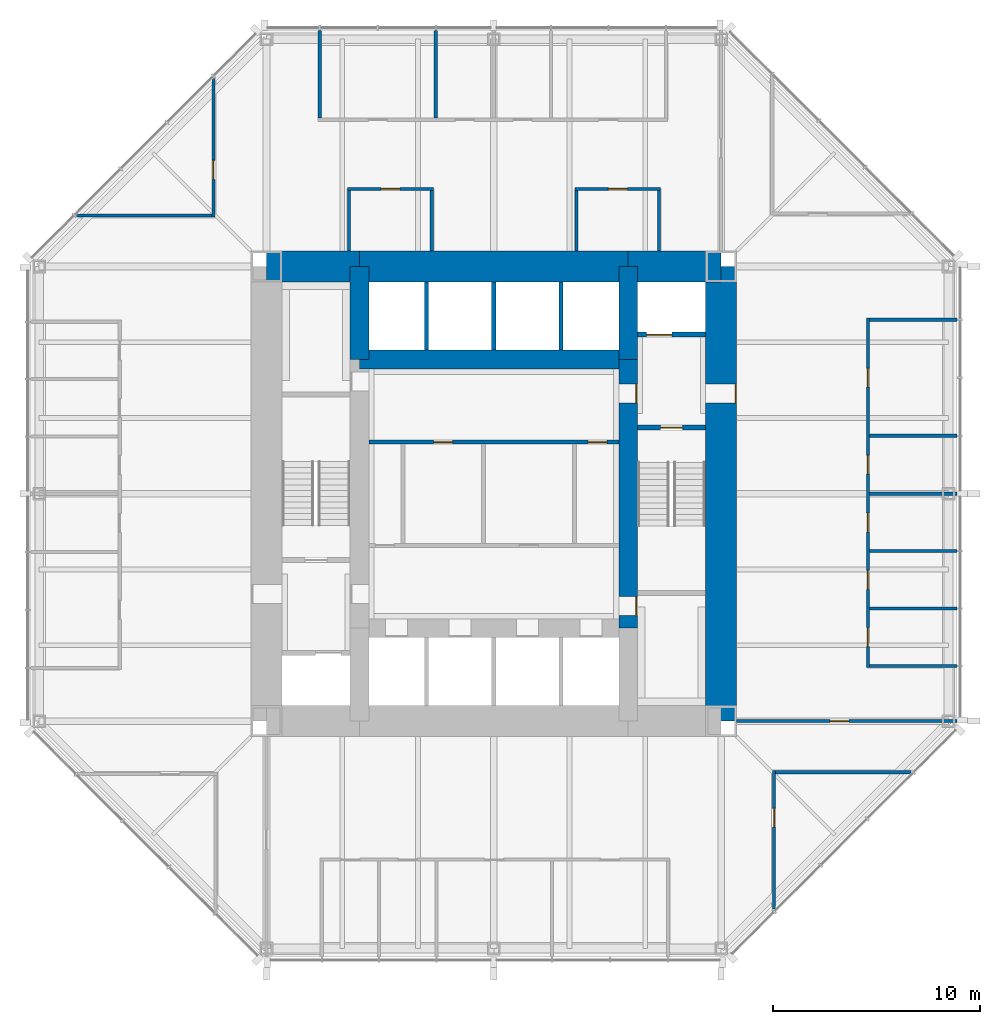
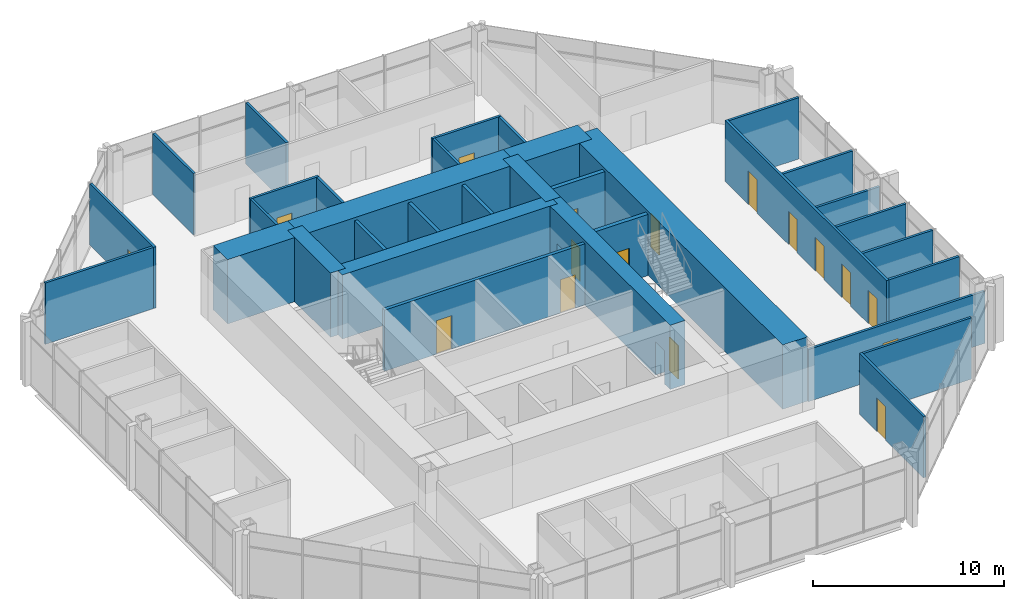
# One storey, part 10 of 12: 34 walls, 17 doors, 17 openings.
"""IFC4 building model written with IfcOpenShell, lengths in metres."""

from ifc_helpers import new_model, si_unit, direction, frame, frame_2d, origin, place, context, subcontext, project, spatial, rectangle, extrude, material, layer, layer_set, type_object, element, fill, save


model = new_model("IFC4")

# Units and contexts
model_context = context("Model", 3, precision=1e-05, world=origin(), true_north=direction((0.0, 1.0)))
body_context = subcontext(model_context, "Body", "Model", "MODEL_VIEW")
ifc_project = project(units=[si_unit("LENGTHUNIT", "METRE"), si_unit("AREAUNIT", "SQUARE_METRE"), si_unit("VOLUMEUNIT", "CUBIC_METRE"), si_unit("PLANEANGLEUNIT", "RADIAN"), si_unit("MASSUNIT", "GRAM", prefix="KILO")], contexts=[model_context])

# Site, building, storey
site_placement = place(None, origin())
site = spatial("IfcSite", under=ifc_project, at=site_placement, CompositionType="ELEMENT")
building_placement = place(site_placement, origin())
building = spatial("IfcBuilding", under=site, at=building_placement, Name="Trevanion Tower", CompositionType="ELEMENT")
storey_placement = place(building_placement, frame((0.0, 0.0, 170.5)))
storey = spatial("IfcBuildingStorey", under=building, at=storey_placement, Name="L40", CompositionType="ELEMENT", Elevation=170.5)

# Wall, opening, door
ifc_material_1 = material(Name="Concrete 10,000 psi", Category="concrete")
ifc_layer_1 = layer(ifc_material_1, 1.5)
ifc_layer_set_1 = layer_set([ifc_layer_1], Name="CW1 core wall 1500")
wall_type_1 = type_object("IfcWallType", Name="CW1 core wall 1500", PredefinedType="SHEAR", material=ifc_layer_set_1)
wall_1_placement = place(storey_placement, frame((11.0, -11.0, 0.0), z_axis=(0.0, 0.0, 1.0), x_axis=(0.0, 1.0, 0.0)))
wall_1 = element("IfcWall", 1, at=wall_1_placement, inside=storey, type_object=wall_type_1, Name="CW1 CE L40", PredefinedType="SHEAR", context=body_context, shape_type="SweptSolid", body=[
    extrude(rectangle(XDim=22.0, YDim=1.5, at=frame_2d((11.0, 0.0))), origin(), (0.0, 0.0, 1.0), 4.10009765625),
])
opening_1_placement = place(wall_1_placement, frame((15.392578125, 0.0, 0.0)))
opening_1 = element("IfcOpeningElement", 2, at=opening_1_placement, cuts=wall_1, Name="Opening 40-001", PredefinedType="OPENING", context=body_context, shape_type="SweptSolid", body=[
    extrude(rectangle(XDim=0.9150390625, YDim=2.134033203125, at=frame_2d((0.45751953125, 1.06689453125))), frame((0.0, 0.760009765625, 0.0), z_axis=(0.0, -1.0, 0.0), x_axis=(1.0, 0.0, 0.0)), (0.0, 0.0, 1.0), 1.52001953125),
])
ifc_material_2 = material(Name="Hollow metal, fire rated", Category="steel")
door_type_1 = type_object("IfcDoorType", Name="D3 fire lift lobby door", OperationType="SINGLE_SWING_RIGHT", PredefinedType="DOOR", material=ifc_material_2)
door_1_placement = place(opening_1_placement, origin())
door_1 = element("IfcDoor", 3, at=door_1_placement, inside=storey, type_object=door_type_1, Name="Door 40-001", OperationType="SINGLE_SWING_RIGHT", OverallHeight=2.134033203125, OverallWidth=0.9150390625, PredefinedType="DOOR", context=body_context, shape_type="SweptSolid", body=[
    extrude(rectangle(XDim=0.9150390625, YDim=2.134033203125, at=frame_2d((0.45751953125, 1.06689453125))), frame((0.0, -0.6748046875, 0.0), z_axis=(0.0, -1.0, 0.0), x_axis=(1.0, 0.0, 0.0)), (0.0, 0.0, 1.0), 0.050048828125),
])
fill(opening_1, door_1)

# Walls
wall_2_placement = place(storey_placement, frame((11.0, 11.0, 0.0), z_axis=(0.0, 0.0, 1.0), x_axis=(-1.0, 0.0, 0.0)))
element("IfcWall", 4, at=wall_2_placement, inside=storey, type_object=wall_type_1, Name="CW1 CN1 L40", PredefinedType="SHEAR", context=body_context, shape_type="SweptSolid", body=[
    extrude(rectangle(XDim=4.5, YDim=1.5, at=frame_2d((2.25, 0.0))), origin(), (0.0, 0.0, 1.0), 4.10009765625),
])
wall_3_placement = place(storey_placement, frame((6.5, 11.0, 0.0), z_axis=(0.0, 0.0, 1.0), x_axis=(-1.0, 0.0, 0.0)))
element("IfcWall", 5, at=wall_3_placement, inside=storey, type_object=wall_type_1, Name="CW1 CN2 L40", PredefinedType="SHEAR", context=body_context, shape_type="SweptSolid", body=[
    extrude(rectangle(XDim=13.0, YDim=1.5, at=frame_2d((6.5, 0.0))), origin(), (0.0, 0.0, 1.0), 4.10009765625),
])
wall_4_placement = place(storey_placement, frame((-6.5, 11.0, 0.0), z_axis=(0.0, 0.0, 1.0), x_axis=(-1.0, 0.0, 0.0)))
element("IfcWall", 6, at=wall_4_placement, inside=storey, type_object=wall_type_1, Name="CW1 CN3 L40", PredefinedType="SHEAR", context=body_context, shape_type="SweptSolid", body=[
    extrude(rectangle(XDim=4.5, YDim=1.5, at=frame_2d((2.25, 0.0))), origin(), (0.0, 0.0, 1.0), 4.10009765625),
])

# Wall, openings, doors
ifc_material_3 = material(Name="Concrete 10,000 psi", Category="concrete")
ifc_layer_2 = layer(ifc_material_3, 0.89990234375)
ifc_layer_set_2 = layer_set([ifc_layer_2], Name="CW2 core wall 900")
wall_type_2 = type_object("IfcWallType", Name="CW2 core wall 900", PredefinedType="SHEAR", material=ifc_layer_set_2)
wall_5_placement = place(storey_placement, frame((6.5, -6.5, 0.0), z_axis=(0.0, 0.0, 1.0), x_axis=(0.0, 1.0, 0.0)))
wall_5 = element("IfcWall", 7, at=wall_5_placement, inside=storey, type_object=wall_type_2, Name="CW2 RE2 L40", PredefinedType="SHEAR", context=body_context, shape_type="SweptSolid", body=[
    extrude(rectangle(XDim=13.0, YDim=0.89990234375, at=frame_2d((6.5, 0.0))), origin(), (0.0, 0.0, 1.0), 4.10009765625),
])
opening_2_placement = place(wall_5_placement, frame((10.892578125, 0.0, 0.0)))
opening_2 = element("IfcOpeningElement", 8, at=opening_2_placement, cuts=wall_5, Name="Opening 40-003", PredefinedType="OPENING", context=body_context, shape_type="SweptSolid", body=[
    extrude(rectangle(XDim=0.9150390625, YDim=2.134033203125, at=frame_2d((0.45751953125, 1.06689453125))), frame((0.0, 0.4599609375, 0.0), z_axis=(0.0, -1.0, 0.0), x_axis=(1.0, 0.0, 0.0)), (0.0, 0.0, 1.0), 0.919921875),
])
opening_3_placement = place(wall_5_placement, frame((0.610107421875, 0.0, 0.0)))
opening_3 = element("IfcOpeningElement", 9, at=opening_3_placement, cuts=wall_5, Name="Opening 40-009", PredefinedType="OPENING", context=body_context, shape_type="SweptSolid", body=[
    extrude(rectangle(XDim=0.9150390625, YDim=2.134033203125, at=frame_2d((0.45751953125, 1.06689453125))), frame((0.0, 0.4599609375, 0.0), z_axis=(0.0, -1.0, 0.0), x_axis=(1.0, 0.0, 0.0)), (0.0, 0.0, 1.0), 0.919921875),
])
door_2_placement = place(opening_2_placement, origin())
door_2 = element("IfcDoor", 10, at=door_2_placement, inside=storey, type_object=door_type_1, Name="Door 40-003", OperationType="SINGLE_SWING_RIGHT", OverallHeight=2.134033203125, OverallWidth=0.9150390625, PredefinedType="DOOR", context=body_context, shape_type="SweptSolid", body=[
    extrude(rectangle(XDim=0.9150390625, YDim=2.134033203125, at=frame_2d((0.45751953125, 1.06689453125))), frame((0.0, -0.375, 0.0), z_axis=(0.0, -1.0, 0.0), x_axis=(1.0, 0.0, 0.0)), (0.0, 0.0, 1.0), 0.050048828125),
])
fill(opening_2, door_2)
ifc_material_4 = material(Name="Hollow metal, fire rated", Category="steel")
door_type_2 = type_object("IfcDoorType", Name="D5 service room door", OperationType="SINGLE_SWING_RIGHT", PredefinedType="DOOR", material=ifc_material_4)
door_3_placement = place(opening_3_placement, origin())
door_3 = element("IfcDoor", 11, at=door_3_placement, inside=storey, type_object=door_type_2, Name="Door 40-009", OperationType="SINGLE_SWING_RIGHT", OverallHeight=2.134033203125, OverallWidth=0.9150390625, PredefinedType="DOOR", context=body_context, shape_type="SweptSolid", body=[
    extrude(rectangle(XDim=0.9150390625, YDim=2.134033203125, at=frame_2d((0.45751953125, 1.06689453125))), frame((0.0, -0.375, 0.0), z_axis=(0.0, -1.0, 0.0), x_axis=(1.0, 0.0, 0.0)), (0.0, 0.0, 1.0), 0.050048828125),
])
fill(opening_3, door_3)

# Walls
for number, where, z_axis, x_axis, name in (
    (12, (6.5, 6.5, 0.0), (0.0, 0.0, 1.0), (0.0, 1.0, 0.0), "CW2 RE3 L40"),
    (13, (-6.5, 11.0, 0.0), (0.0, 0.0, 1.0), (0.0, -1.0, 0.0), "CW2 RW1 L40"),
):
    element("IfcWall", number, at=place(storey_placement, frame(where, z_axis=z_axis, x_axis=x_axis)), inside=storey, type_object=wall_type_2, Name=name, PredefinedType="SHEAR", context=body_context, shape_type="SweptSolid", body=[
        extrude(rectangle(XDim=4.5, YDim=0.89990234375, at=frame_2d((2.25, 0.0))), origin(), (0.0, 0.0, 1.0), 4.10009765625),
    ])
wall_6_placement = place(storey_placement, frame((6.5, 6.5, 0.0), z_axis=(0.0, 0.0, 1.0), x_axis=(-1.0, 0.0, 0.0)))
element("IfcWall", 14, at=wall_6_placement, inside=storey, type_object=wall_type_2, Name="CW2 RN L40", PredefinedType="SHEAR", context=body_context, shape_type="SweptSolid", body=[
    extrude(rectangle(XDim=13.0, YDim=0.89990234375, at=frame_2d((6.5, 0.0))), origin(), (0.0, 0.0, 1.0), 4.10009765625),
])

# Wall, opening, door
ifc_material_5 = material(Name="Gypsum board on steel studs", Category="steel")
ifc_layer_3 = layer(ifc_material_5, 0.14990234375)
ifc_layer_set_3 = layer_set([ifc_layer_3], Name="PT1 partition 150")
wall_type_3 = type_object("IfcWallType", Name="PT1 partition 150", PredefinedType="PARTITIONING", material=ifc_layer_set_3)
wall_7_placement = place(storey_placement, frame((11.75, -11.0, 0.0), z_axis=(0.0, 0.0, 1.0), x_axis=(1.0, 0.0, 0.0)))
wall_7 = element("IfcWall", 15, at=wall_7_placement, inside=storey, type_object=wall_type_3, Name="PT1 L40 ZW3", PredefinedType="PARTITIONING", context=body_context, shape_type="SweptSolid", body=[
    extrude(rectangle(XDim=10.6650390625, YDim=0.14990234375, at=frame_2d((5.33251953125, 0.0))), origin(), (0.0, 0.0, 1.0), 3.32568359375),
])
opening_4_placement = place(wall_7_placement, frame((4.517578125, 0.0, 0.0)))
opening_4 = element("IfcOpeningElement", 16, at=opening_4_placement, cuts=wall_7, Name="Opening 40-021", PredefinedType="OPENING", context=body_context, shape_type="SweptSolid", body=[
    extrude(rectangle(XDim=0.9150390625, YDim=2.134033203125, at=frame_2d((0.45751953125, 1.06689453125))), frame((0.0, 0.0849609375, 0.0), z_axis=(0.0, -1.0, 0.0), x_axis=(1.0, 0.0, 0.0)), (0.0, 0.0, 1.0), 0.169921875),
])
ifc_material_6 = material(Name="Timber veneer, solid core", Category="wood")
door_type_3 = type_object("IfcDoorType", Name="D1 office and meeting room door", OperationType="SINGLE_SWING_LEFT", PredefinedType="DOOR", material=ifc_material_6)
door_4_placement = place(opening_4_placement, origin())
door_4 = element("IfcDoor", 17, at=door_4_placement, inside=storey, type_object=door_type_3, Name="Door 40-021", OperationType="SINGLE_SWING_LEFT", OverallHeight=2.134033203125, OverallWidth=0.9150390625, PredefinedType="DOOR", context=body_context, shape_type="SweptSolid", body=[
    extrude(rectangle(XDim=0.9150390625, YDim=2.134033203125, at=frame_2d((0.45751953125, 1.06689453125))), frame((0.0, 0.02490234375, 0.0), z_axis=(0.0, -1.0, 0.0), x_axis=(1.0, 0.0, 0.0)), (0.0, 0.0, 1.0), 0.050048828125),
])
fill(opening_4, door_4)

wall_8_placement = place(storey_placement, frame((-13.56591796875, 13.39892578125, 0.0), z_axis=(0.0, 0.0, 1.0), x_axis=(0.0, 1.0, 0.0)))
wall_8 = element("IfcWall", 18, at=wall_8_placement, inside=storey, type_object=wall_type_3, Name="PT1 L40 KW1a", PredefinedType="PARTITIONING", context=body_context, shape_type="SweptSolid", body=[
    extrude(rectangle(XDim=6.697998046875, YDim=0.14990234375, at=frame_2d((3.34912109375, 0.0))), origin(), (0.0, 0.0, 1.0), 3.909912109375),
])
opening_5_placement = place(wall_8_placement, frame((1.8173828125, 0.0, 0.0)))
opening_5 = element("IfcOpeningElement", 19, at=opening_5_placement, cuts=wall_8, Name="Opening 40-023", PredefinedType="OPENING", context=body_context, shape_type="SweptSolid", body=[
    extrude(rectangle(XDim=0.9150390625, YDim=2.134033203125, at=frame_2d((0.45751953125, 1.06689453125))), frame((0.0, 0.0849609375, 0.0), z_axis=(0.0, -1.0, 0.0), x_axis=(1.0, 0.0, 0.0)), (0.0, 0.0, 1.0), 0.169921875),
])
door_5_placement = place(opening_5_placement, origin())
door_5 = element("IfcDoor", 20, at=door_5_placement, inside=storey, type_object=door_type_3, Name="Door 40-023", OperationType="SINGLE_SWING_LEFT", OverallHeight=2.134033203125, OverallWidth=0.9150390625, PredefinedType="DOOR", context=body_context, shape_type="SweptSolid", body=[
    extrude(rectangle(XDim=0.9150390625, YDim=2.134033203125, at=frame_2d((0.45751953125, 1.06689453125))), frame((0.0, 0.02490234375, 0.0), z_axis=(0.0, -1.0, 0.0), x_axis=(1.0, 0.0, 0.0)), (0.0, 0.0, 1.0), 0.050048828125),
])
fill(opening_5, door_5)

# Wall
wall_9_placement = place(storey_placement, frame((-13.64111328125, 13.47412109375, 0.0), z_axis=(0.0, 0.0, 1.0), x_axis=(-1.0, 0.0, 0.0)))
element("IfcWall", 21, at=wall_9_placement, inside=storey, type_object=wall_type_3, Name="PT1 L40 KW1b", PredefinedType="PARTITIONING", context=body_context, shape_type="SweptSolid", body=[
    extrude(rectangle(XDim=6.5478515625, YDim=0.14990234375, at=frame_2d((3.27392578125, 0.0))), origin(), (0.0, 0.0, 1.0), 3.909912109375),
])

# Wall, opening, door
wall_10_placement = place(storey_placement, frame((13.56591796875, -13.39892578125, 0.0), z_axis=(0.0, 0.0, 1.0), x_axis=(0.0, -1.0, 0.0)))
wall_10 = element("IfcWall", 22, at=wall_10_placement, inside=storey, type_object=wall_type_3, Name="PT1 L40 KW3a", PredefinedType="PARTITIONING", context=body_context, shape_type="SweptSolid", body=[
    extrude(rectangle(XDim=6.697998046875, YDim=0.14990234375, at=frame_2d((3.34912109375, 0.0))), origin(), (0.0, 0.0, 1.0), 3.909912109375),
])
opening_6_placement = place(wall_10_placement, frame((1.8173828125, 0.0, 0.0)))
opening_6 = element("IfcOpeningElement", 23, at=opening_6_placement, cuts=wall_10, Name="Opening 40-025", PredefinedType="OPENING", context=body_context, shape_type="SweptSolid", body=[
    extrude(rectangle(XDim=0.9150390625, YDim=2.134033203125, at=frame_2d((0.45751953125, 1.06689453125))), frame((0.0, 0.0849609375, 0.0), z_axis=(0.0, -1.0, 0.0), x_axis=(1.0, 0.0, 0.0)), (0.0, 0.0, 1.0), 0.169921875),
])
door_6_placement = place(opening_6_placement, origin())
door_6 = element("IfcDoor", 24, at=door_6_placement, inside=storey, type_object=door_type_3, Name="Door 40-025", OperationType="SINGLE_SWING_LEFT", OverallHeight=2.134033203125, OverallWidth=0.9150390625, PredefinedType="DOOR", context=body_context, shape_type="SweptSolid", body=[
    extrude(rectangle(XDim=0.9150390625, YDim=2.134033203125, at=frame_2d((0.45751953125, 1.06689453125))), frame((0.0, 0.02490234375, 0.0), z_axis=(0.0, -1.0, 0.0), x_axis=(1.0, 0.0, 0.0)), (0.0, 0.0, 1.0), 0.050048828125),
])
fill(opening_6, door_6)

# Wall
wall_11_placement = place(storey_placement, frame((13.64111328125, -13.47412109375, 0.0), z_axis=(0.0, 0.0, 1.0), x_axis=(1.0, 0.0, 0.0)))
element("IfcWall", 25, at=wall_11_placement, inside=storey, type_object=wall_type_3, Name="PT1 L40 KW3b", PredefinedType="PARTITIONING", context=body_context, shape_type="SweptSolid", body=[
    extrude(rectangle(XDim=6.5478515625, YDim=0.14990234375, at=frame_2d((3.27392578125, 0.0))), origin(), (0.0, 0.0, 1.0), 3.909912109375),
])

# Wall, openings, doors
wall_12_placement = place(storey_placement, frame((18.10009765625, -8.39794921875, 0.0), z_axis=(0.0, 0.0, 1.0), x_axis=(0.0, 1.0, 0.0)))
wall_12 = element("IfcWall", 26, at=wall_12_placement, inside=storey, type_object=wall_type_3, Name="PT1 L40 FC0F", PredefinedType="PARTITIONING", context=body_context, shape_type="SweptSolid", body=[
    extrude(rectangle(XDim=16.89404296875, YDim=0.14990234375, at=frame_2d((8.447021484375, 0.0))), origin(), (0.0, 0.0, 1.0), 3.909912109375),
])
opening_7_placement = place(wall_12_placement, frame((1.00439453125, 0.0, 0.0)))
opening_7 = element("IfcOpeningElement", 27, at=opening_7_placement, cuts=wall_12, Name="Opening 40-026", PredefinedType="OPENING", context=body_context, shape_type="SweptSolid", body=[
    extrude(rectangle(XDim=0.9150390625, YDim=2.134033203125, at=frame_2d((0.45751953125, 1.06689453125))), frame((0.0, 0.0849609375, 0.0), z_axis=(0.0, -1.0, 0.0), x_axis=(1.0, 0.0, 0.0)), (0.0, 0.0, 1.0), 0.169921875),
])
opening_8_placement = place(wall_12_placement, frame((3.778564453125, 0.0, 0.0)))
opening_8 = element("IfcOpeningElement", 28, at=opening_8_placement, cuts=wall_12, Name="Opening 40-027", PredefinedType="OPENING", context=body_context, shape_type="SweptSolid", body=[
    extrude(rectangle(XDim=0.9150390625, YDim=2.134033203125, at=frame_2d((0.45751953125, 1.06689453125))), frame((0.0, 0.0849609375, 0.0), z_axis=(0.0, -1.0, 0.0), x_axis=(1.0, 0.0, 0.0)), (0.0, 0.0, 1.0), 0.169921875),
])
opening_9_placement = place(wall_12_placement, frame((6.552978515625, 0.0, 0.0)))
opening_9 = element("IfcOpeningElement", 29, at=opening_9_placement, cuts=wall_12, Name="Opening 40-028", PredefinedType="OPENING", context=body_context, shape_type="SweptSolid", body=[
    extrude(rectangle(XDim=0.9150390625, YDim=2.134033203125, at=frame_2d((0.45751953125, 1.06689453125))), frame((0.0, 0.0849609375, 0.0), z_axis=(0.0, -1.0, 0.0), x_axis=(1.0, 0.0, 0.0)), (0.0, 0.0, 1.0), 0.169921875),
])
opening_10_placement = place(wall_12_placement, frame((9.343994140625, 0.0, 0.0)))
opening_10 = element("IfcOpeningElement", 30, at=opening_10_placement, cuts=wall_12, Name="Opening 40-029", PredefinedType="OPENING", context=body_context, shape_type="SweptSolid", body=[
    extrude(rectangle(XDim=0.9150390625, YDim=2.134033203125, at=frame_2d((0.45751953125, 1.06689453125))), frame((0.0, 0.0849609375, 0.0), z_axis=(0.0, -1.0, 0.0), x_axis=(1.0, 0.0, 0.0)), (0.0, 0.0, 1.0), 0.169921875),
])
opening_11_placement = place(wall_12_placement, frame((13.554443359375, 0.0, 0.0)))
opening_11 = element("IfcOpeningElement", 31, at=opening_11_placement, cuts=wall_12, Name="Opening 40-030", PredefinedType="OPENING", context=body_context, shape_type="SweptSolid", body=[
    extrude(rectangle(XDim=0.9150390625, YDim=2.134033203125, at=frame_2d((0.45751953125, 1.06689453125))), frame((0.0, 0.0849609375, 0.0), z_axis=(0.0, -1.0, 0.0), x_axis=(1.0, 0.0, 0.0)), (0.0, 0.0, 1.0), 0.169921875),
])
door_7_placement = place(opening_7_placement, origin())
door_7 = element("IfcDoor", 32, at=door_7_placement, inside=storey, type_object=door_type_3, Name="Door 40-026", OperationType="SINGLE_SWING_LEFT", OverallHeight=2.134033203125, OverallWidth=0.9150390625, PredefinedType="DOOR", context=body_context, shape_type="SweptSolid", body=[
    extrude(rectangle(XDim=0.9150390625, YDim=2.134033203125, at=frame_2d((0.45751953125, 1.06689453125))), frame((0.0, 0.02490234375, 0.0), z_axis=(0.0, -1.0, 0.0), x_axis=(1.0, 0.0, 0.0)), (0.0, 0.0, 1.0), 0.050048828125),
])
fill(opening_7, door_7)
door_8_placement = place(opening_8_placement, origin())
door_8 = element("IfcDoor", 33, at=door_8_placement, inside=storey, type_object=door_type_3, Name="Door 40-027", OperationType="SINGLE_SWING_LEFT", OverallHeight=2.134033203125, OverallWidth=0.9150390625, PredefinedType="DOOR", context=body_context, shape_type="SweptSolid", body=[
    extrude(rectangle(XDim=0.9150390625, YDim=2.134033203125, at=frame_2d((0.45751953125, 1.06689453125))), frame((0.0, 0.02490234375, 0.0), z_axis=(0.0, -1.0, 0.0), x_axis=(1.0, 0.0, 0.0)), (0.0, 0.0, 1.0), 0.050048828125),
])
fill(opening_8, door_8)
door_9_placement = place(opening_9_placement, origin())
door_9 = element("IfcDoor", 34, at=door_9_placement, inside=storey, type_object=door_type_3, Name="Door 40-028", OperationType="SINGLE_SWING_LEFT", OverallHeight=2.134033203125, OverallWidth=0.9150390625, PredefinedType="DOOR", context=body_context, shape_type="SweptSolid", body=[
    extrude(rectangle(XDim=0.9150390625, YDim=2.134033203125, at=frame_2d((0.45751953125, 1.06689453125))), frame((0.0, 0.02490234375, 0.0), z_axis=(0.0, -1.0, 0.0), x_axis=(1.0, 0.0, 0.0)), (0.0, 0.0, 1.0), 0.050048828125),
])
fill(opening_9, door_9)
door_10_placement = place(opening_10_placement, origin())
door_10 = element("IfcDoor", 35, at=door_10_placement, inside=storey, type_object=door_type_3, Name="Door 40-029", OperationType="SINGLE_SWING_LEFT", OverallHeight=2.134033203125, OverallWidth=0.9150390625, PredefinedType="DOOR", context=body_context, shape_type="SweptSolid", body=[
    extrude(rectangle(XDim=0.9150390625, YDim=2.134033203125, at=frame_2d((0.45751953125, 1.06689453125))), frame((0.0, 0.02490234375, 0.0), z_axis=(0.0, -1.0, 0.0), x_axis=(1.0, 0.0, 0.0)), (0.0, 0.0, 1.0), 0.050048828125),
])
fill(opening_10, door_10)
door_11_placement = place(opening_11_placement, origin())
door_11 = element("IfcDoor", 36, at=door_11_placement, inside=storey, type_object=door_type_3, Name="Door 40-030", OperationType="SINGLE_SWING_LEFT", OverallHeight=2.134033203125, OverallWidth=0.9150390625, PredefinedType="DOOR", context=body_context, shape_type="SweptSolid", body=[
    extrude(rectangle(XDim=0.9150390625, YDim=2.134033203125, at=frame_2d((0.45751953125, 1.06689453125))), frame((0.0, 0.02490234375, 0.0), z_axis=(0.0, -1.0, 0.0), x_axis=(1.0, 0.0, 0.0)), (0.0, 0.0, 1.0), 0.050048828125),
])
fill(opening_11, door_11)

# Walls
for number, where, z_axis, x_axis, name in (
    (37, (18.175048828125, -8.322998046875, 0.0), (0.0, 0.0, 1.0), (1.0, 0.0, 0.0), "PT1 L40 FC0S0"),
    (38, (18.175048828125, -5.549072265625, 0.0), (0.0, 0.0, 1.0), (1.0, 0.0, 0.0), "PT1 L40 FC0S1"),
    (39, (18.175048828125, -2.77490234375, 0.0), (0.0, 0.0, 1.0), (1.0, 0.0, 0.0), "PT1 L40 FC0S2"),
):
    element("IfcWall", number, at=place(storey_placement, frame(where, z_axis=z_axis, x_axis=x_axis)), inside=storey, type_object=wall_type_3, Name=name, PredefinedType="PARTITIONING", context=body_context, shape_type="SweptSolid", body=[
        extrude(rectangle(XDim=4.239990234375, YDim=0.14990234375, at=frame_2d((2.1201171875, 0.0))), origin(), (0.0, 0.0, 1.0), 3.909912109375),
    ])
wall_13_placement = place(storey_placement, frame((18.175048828125, 0.0, 0.0), z_axis=(0.0, 0.0, 1.0), x_axis=(1.0, 0.0, 0.0)))
element("IfcWall", 40, at=wall_13_placement, inside=storey, type_object=wall_type_3, Name="PT1 L40 FC0S3", PredefinedType="PARTITIONING", context=body_context, shape_type="SweptSolid", body=[
    extrude(rectangle(XDim=4.239990234375, YDim=0.14990234375, at=frame_2d((2.1201171875, 0.0))), origin(), (0.0, 0.0, 1.0), 3.32568359375),
])
for number, where, z_axis, x_axis, name in (
    (41, (18.175048828125, 2.806884765625, 0.0), (0.0, 0.0, 1.0), (1.0, 0.0, 0.0), "PT1 L40 FC0S4"),
    (42, (18.175048828125, 8.4208984375, 0.0), (0.0, 0.0, 1.0), (1.0, 0.0, 0.0), "PT1 L40 FC0S6"),
    (43, (-2.806884765625, 18.175048828125, 0.0), (0.0, 0.0, 1.0), (0.0, 1.0, 0.0), "PT1 L40 FC1S4"),
    (44, (-8.4208984375, 18.175048828125, 0.0), (0.0, 0.0, 1.0), (0.0, 1.0, 0.0), "PT1 L40 FC1S6"),
):
    element("IfcWall", number, at=place(storey_placement, frame(where, z_axis=z_axis, x_axis=x_axis)), inside=storey, type_object=wall_type_3, Name=name, PredefinedType="PARTITIONING", context=body_context, shape_type="SweptSolid", body=[
        extrude(rectangle(XDim=4.239990234375, YDim=0.14990234375, at=frame_2d((2.1201171875, 0.0))), origin(), (0.0, 0.0, 1.0), 3.909912109375),
    ])

# Wall, opening, door
wall_14_placement = place(storey_placement, frame((8.074951171875, 14.75, 0.0), z_axis=(0.0, 0.0, 1.0), x_axis=(-1.0, 0.0, 0.0)))
wall_14 = element("IfcWall", 45, at=wall_14_placement, inside=storey, type_object=wall_type_3, Name="PT1 L40 IN10F", PredefinedType="PARTITIONING", context=body_context, shape_type="SweptSolid", body=[
    extrude(rectangle(XDim=4.14990234375, YDim=0.14990234375, at=frame_2d((2.074951171875, 0.0))), origin(), (0.0, 0.0, 1.0), 3.909912109375),
])
opening_12_placement = place(wall_14_placement, frame((1.617431640625, 0.0, 0.0)))
opening_12 = element("IfcOpeningElement", 46, at=opening_12_placement, cuts=wall_14, Name="Opening 40-044", PredefinedType="OPENING", context=body_context, shape_type="SweptSolid", body=[
    extrude(rectangle(XDim=0.9150390625, YDim=2.134033203125, at=frame_2d((0.45751953125, 1.06689453125))), frame((0.0, 0.0849609375, 0.0), z_axis=(0.0, -1.0, 0.0), x_axis=(1.0, 0.0, 0.0)), (0.0, 0.0, 1.0), 0.169921875),
])
door_12_placement = place(opening_12_placement, origin())
door_12 = element("IfcDoor", 47, at=door_12_placement, inside=storey, type_object=door_type_3, Name="Door 40-044", OperationType="SINGLE_SWING_LEFT", OverallHeight=2.134033203125, OverallWidth=0.9150390625, PredefinedType="DOOR", context=body_context, shape_type="SweptSolid", body=[
    extrude(rectangle(XDim=0.9150390625, YDim=2.134033203125, at=frame_2d((0.45751953125, 1.06689453125))), frame((0.0, 0.02490234375, 0.0), z_axis=(0.0, -1.0, 0.0), x_axis=(1.0, 0.0, 0.0)), (0.0, 0.0, 1.0), 0.050048828125),
])
fill(opening_12, door_12)

# Walls
for number, where, z_axis, x_axis, name in (
    (48, (8.0, 14.675048828125, 0.0), (0.0, 0.0, 1.0), (0.0, -1.0, 0.0), "PT1 L40 IN10S0"),
    (49, (4.0, 14.675048828125, 0.0), (0.0, 0.0, 1.0), (0.0, -1.0, 0.0), "PT1 L40 IN10S1"),
):
    element("IfcWall", number, at=place(storey_placement, frame(where, z_axis=z_axis, x_axis=x_axis)), inside=storey, type_object=wall_type_3, Name=name, PredefinedType="PARTITIONING", context=body_context, shape_type="SweptSolid", body=[
        extrude(rectangle(XDim=2.925048828125, YDim=0.14990234375, at=frame_2d((1.46240234375, 0.0))), origin(), (0.0, 0.0, 1.0), 3.909912109375),
    ])

# Wall, opening, door
wall_15_placement = place(storey_placement, frame((-2.925048828125, 14.75, 0.0), z_axis=(0.0, 0.0, 1.0), x_axis=(-1.0, 0.0, 0.0)))
wall_15 = element("IfcWall", 50, at=wall_15_placement, inside=storey, type_object=wall_type_3, Name="PT1 L40 IN11F", PredefinedType="PARTITIONING", context=body_context, shape_type="SweptSolid", body=[
    extrude(rectangle(XDim=4.14990234375, YDim=0.14990234375, at=frame_2d((2.074951171875, 0.0))), origin(), (0.0, 0.0, 1.0), 3.909912109375),
])
opening_13_placement = place(wall_15_placement, frame((1.617431640625, 0.0, 0.0)))
opening_13 = element("IfcOpeningElement", 51, at=opening_13_placement, cuts=wall_15, Name="Opening 40-045", PredefinedType="OPENING", context=body_context, shape_type="SweptSolid", body=[
    extrude(rectangle(XDim=0.9150390625, YDim=2.134033203125, at=frame_2d((0.45751953125, 1.06689453125))), frame((0.0, 0.0849609375, 0.0), z_axis=(0.0, -1.0, 0.0), x_axis=(1.0, 0.0, 0.0)), (0.0, 0.0, 1.0), 0.169921875),
])
door_13_placement = place(opening_13_placement, origin())
door_13 = element("IfcDoor", 52, at=door_13_placement, inside=storey, type_object=door_type_3, Name="Door 40-045", OperationType="SINGLE_SWING_LEFT", OverallHeight=2.134033203125, OverallWidth=0.9150390625, PredefinedType="DOOR", context=body_context, shape_type="SweptSolid", body=[
    extrude(rectangle(XDim=0.9150390625, YDim=2.134033203125, at=frame_2d((0.45751953125, 1.06689453125))), frame((0.0, 0.02490234375, 0.0), z_axis=(0.0, -1.0, 0.0), x_axis=(1.0, 0.0, 0.0)), (0.0, 0.0, 1.0), 0.050048828125),
])
fill(opening_13, door_13)

# Walls
for number, where, z_axis, x_axis, name in (
    (53, (-3.0, 14.675048828125, 0.0), (0.0, 0.0, 1.0), (0.0, -1.0, 0.0), "PT1 L40 IN11S0"),
    (54, (-7.0, 14.675048828125, 0.0), (0.0, 0.0, 1.0), (0.0, -1.0, 0.0), "PT1 L40 IN11S1"),
):
    element("IfcWall", number, at=place(storey_placement, frame(where, z_axis=z_axis, x_axis=x_axis)), inside=storey, type_object=wall_type_3, Name=name, PredefinedType="PARTITIONING", context=body_context, shape_type="SweptSolid", body=[
        extrude(rectangle(XDim=2.925048828125, YDim=0.14990234375, at=frame_2d((1.46240234375, 0.0))), origin(), (0.0, 0.0, 1.0), 3.909912109375),
    ])

# Wall, openings, doors
ifc_material_7 = material(Name="Concrete masonry, grouted", Category="masonry")
ifc_layer_4 = layer(ifc_material_7, 0.199951171875)
ifc_layer_set_4 = layer_set([ifc_layer_4], Name="PT2 partition 200 1 HR")
wall_type_4 = type_object("IfcWallType", Name="PT2 partition 200 1 HR", PredefinedType="PARTITIONING", material=ifc_layer_set_4)
wall_16_placement = place(storey_placement, frame((-6.050048828125, 2.5, 0.0), z_axis=(0.0, 0.0, 1.0), x_axis=(1.0, 0.0, 0.0)))
wall_16 = element("IfcWall", 55, at=wall_16_placement, inside=storey, type_object=wall_type_4, Name="PT2 L40 CP1", PredefinedType="PARTITIONING", context=body_context, shape_type="SweptSolid", body=[
    extrude(rectangle(XDim=12.10009765625, YDim=0.199951171875, at=frame_2d((6.050048828125, 0.0))), origin(), (0.0, 0.0, 1.0), 3.909912109375),
])
opening_14_placement = place(wall_16_placement, frame((3.142578125, 0.0, 0.0)))
opening_14 = element("IfcOpeningElement", 56, at=opening_14_placement, cuts=wall_16, Name="Opening 40-016", PredefinedType="OPENING", context=body_context, shape_type="SweptSolid", body=[
    extrude(rectangle(XDim=0.9150390625, YDim=2.134033203125, at=frame_2d((0.45751953125, 1.06689453125))), frame((0.0, 0.10986328125, 0.0), z_axis=(0.0, -1.0, 0.0), x_axis=(1.0, 0.0, 0.0)), (0.0, 0.0, 1.0), 0.219970703125),
])
opening_15_placement = place(wall_16_placement, frame((10.617431640625, 0.0, 0.0)))
opening_15 = element("IfcOpeningElement", 57, at=opening_15_placement, cuts=wall_16, Name="Opening 40-018", PredefinedType="OPENING", context=body_context, shape_type="SweptSolid", body=[
    extrude(rectangle(XDim=0.9150390625, YDim=2.134033203125, at=frame_2d((0.45751953125, 1.06689453125))), frame((0.0, 0.10986328125, 0.0), z_axis=(0.0, -1.0, 0.0), x_axis=(1.0, 0.0, 0.0)), (0.0, 0.0, 1.0), 0.219970703125),
])
ifc_material_8 = material(Name="Plastic laminate on fire-rated core", Category="wood")
door_type_4 = type_object("IfcDoorType", Name="D12 toilet door in a one hour wall", OperationType="SINGLE_SWING_LEFT", PredefinedType="DOOR", material=ifc_material_8)
door_14_placement = place(opening_14_placement, origin())
door_14 = element("IfcDoor", 58, at=door_14_placement, inside=storey, type_object=door_type_4, Name="Door 40-016", OperationType="SINGLE_SWING_LEFT", OverallHeight=2.134033203125, OverallWidth=0.9150390625, PredefinedType="DOOR", context=body_context, shape_type="SweptSolid", body=[
    extrude(rectangle(XDim=0.9150390625, YDim=2.134033203125, at=frame_2d((0.45751953125, 1.06689453125))), frame((0.0, 0.02490234375, 0.0), z_axis=(0.0, -1.0, 0.0), x_axis=(1.0, 0.0, 0.0)), (0.0, 0.0, 1.0), 0.050048828125),
])
fill(opening_14, door_14)
door_15_placement = place(opening_15_placement, origin())
door_15 = element("IfcDoor", 59, at=door_15_placement, inside=storey, type_object=door_type_4, Name="Door 40-018", OperationType="SINGLE_SWING_LEFT", OverallHeight=2.134033203125, OverallWidth=0.9150390625, PredefinedType="DOOR", context=body_context, shape_type="SweptSolid", body=[
    extrude(rectangle(XDim=0.9150390625, YDim=2.134033203125, at=frame_2d((0.45751953125, 1.06689453125))), frame((0.0, 0.02490234375, 0.0), z_axis=(0.0, -1.0, 0.0), x_axis=(1.0, 0.0, 0.0)), (0.0, 0.0, 1.0), 0.050048828125),
])
fill(opening_15, door_15)

# Walls
ifc_material_9 = material(Name="Concrete masonry, grouted", Category="masonry")
ifc_layer_5 = layer(ifc_material_9, 0.199951171875)
ifc_layer_set_5 = layer_set([ifc_layer_5], Name="PT2 partition 200 2 HR")
wall_type_5 = type_object("IfcWallType", Name="PT2 partition 200 2 HR", PredefinedType="PARTITIONING", material=ifc_layer_set_5)
for number, where, z_axis, x_axis, name in (
    (60, (-3.25, 6.949951171875, 0.0), (0.0, 0.0, 1.0), (0.0, 1.0, 0.0), "PT2 L40 NS0"),
    (61, (0.0, 6.949951171875, 0.0), (0.0, 0.0, 1.0), (0.0, 1.0, 0.0), "PT2 L40 NS1"),
    (62, (3.25, 6.949951171875, 0.0), (0.0, 0.0, 1.0), (0.0, 1.0, 0.0), "PT2 L40 NS2"),
):
    element("IfcWall", number, at=place(storey_placement, frame(where, z_axis=z_axis, x_axis=x_axis)), inside=storey, type_object=wall_type_5, Name=name, PredefinedType="PARTITIONING", context=body_context, shape_type="SweptSolid", body=[
        extrude(rectangle(XDim=3.300048828125, YDim=0.199951171875, at=frame_2d((1.64990234375, 0.0))), origin(), (0.0, 0.0, 1.0), 3.909912109375),
    ])

# Wall, opening, door
ifc_material_10 = material(Name="Concrete masonry, grouted, two-hour", Category="masonry")
ifc_layer_6 = layer(ifc_material_10, 0.25)
ifc_layer_set_6 = layer_set([ifc_layer_6], Name="PT3 partition 250 2 HR")
wall_type_6 = type_object("IfcWallType", Name="PT3 partition 250 2 HR", PredefinedType="PARTITIONING", material=ifc_layer_set_6)
wall_17_placement = place(storey_placement, frame((6.949951171875, 7.699951171875, 0.0), z_axis=(0.0, 0.0, 1.0), x_axis=(1.0, 0.0, 0.0)))
wall_17 = element("IfcWall", 63, at=wall_17_placement, inside=storey, type_object=wall_type_6, Name="PT3 L40 EP3", PredefinedType="PARTITIONING", context=body_context, shape_type="SweptSolid", body=[
    extrude(rectangle(XDim=3.300048828125, YDim=0.25, at=frame_2d((1.64990234375, 0.0))), origin(), (0.0, 0.0, 1.0), 3.909912109375),
])
opening_16_placement = place(wall_17_placement, frame((0.449951171875, 0.0, 0.0)))
opening_16 = element("IfcOpeningElement", 64, at=opening_16_placement, cuts=wall_17, Name="Opening 40-007", PredefinedType="OPENING", context=body_context, shape_type="SweptSolid", body=[
    extrude(rectangle(XDim=1.218994140625, YDim=2.134033203125, at=frame_2d((0.609375, 1.06689453125))), frame((0.0, 0.135009765625, 0.0), z_axis=(0.0, -1.0, 0.0), x_axis=(1.0, 0.0, 0.0)), (0.0, 0.0, 1.0), 0.27001953125),
])
ifc_material_11 = material(Name="Stainless steel, fire rated", Category="steel")
door_type_5 = type_object("IfcDoorType", Name="LD2 fire service lift landing door", OperationType="SLIDING_TO_LEFT", PredefinedType="DOOR", material=ifc_material_11)
door_16_placement = place(opening_16_placement, origin())
door_16 = element("IfcDoor", 65, at=door_16_placement, inside=storey, type_object=door_type_5, Name="Door 40-007", OperationType="SLIDING_TO_LEFT", OverallHeight=2.134033203125, OverallWidth=1.218994140625, PredefinedType="DOOR", context=body_context, shape_type="SweptSolid", body=[
    extrude(rectangle(XDim=1.218994140625, YDim=2.134033203125, at=frame_2d((0.609375, 1.06689453125))), frame((0.0, 0.02490234375, 0.0), z_axis=(0.0, -1.0, 0.0), x_axis=(1.0, 0.0, 0.0)), (0.0, 0.0, 1.0), 0.050048828125),
])
fill(opening_16, door_16)

ifc_material_12 = material(Name="Reinforced masonry, fully grouted", Category="masonry")
ifc_layer_7 = layer(ifc_material_12, 0.25)
ifc_layer_set_7 = layer_set([ifc_layer_7], Name="SW1 stair shaft wall 250")
wall_type_7 = type_object("IfcWallType", Name="SW1 stair shaft wall 250", PredefinedType="SOLIDWALL", material=ifc_layer_set_7)
wall_18_placement = place(storey_placement, frame((6.949951171875, 3.199951171875, 0.0), z_axis=(0.0, 0.0, 1.0), x_axis=(1.0, 0.0, 0.0)))
wall_18 = element("IfcWall", 66, at=wall_18_placement, inside=storey, type_object=wall_type_7, Name="SW1 L40 EP2", PredefinedType="SOLIDWALL", context=body_context, shape_type="SweptSolid", body=[
    extrude(rectangle(XDim=3.300048828125, YDim=0.25, at=frame_2d((1.64990234375, 0.0))), origin(), (0.0, 0.0, 1.0), 3.909912109375),
])
opening_17_placement = place(wall_18_placement, frame((1.116455078125, 0.0, 0.0)))
opening_17 = element("IfcOpeningElement", 67, at=opening_17_placement, cuts=wall_18, Name="Opening 40-005", PredefinedType="OPENING", context=body_context, shape_type="SweptSolid", body=[
    extrude(rectangle(XDim=1.06689453125, YDim=2.134033203125, at=frame_2d((0.533447265625, 1.06689453125))), frame((0.0, 0.135009765625, 0.0), z_axis=(0.0, -1.0, 0.0), x_axis=(1.0, 0.0, 0.0)), (0.0, 0.0, 1.0), 0.27001953125),
])
ifc_material_13 = material(Name="Hollow metal, fire rated", Category="steel")
door_type_6 = type_object("IfcDoorType", Name="D2 exit stair door", OperationType="SINGLE_SWING_LEFT", PredefinedType="DOOR", material=ifc_material_13)
door_17_placement = place(opening_17_placement, origin())
door_17 = element("IfcDoor", 68, at=door_17_placement, inside=storey, type_object=door_type_6, Name="Door 40-005", OperationType="SINGLE_SWING_LEFT", OverallHeight=2.134033203125, OverallWidth=1.06689453125, PredefinedType="DOOR", context=body_context, shape_type="SweptSolid", body=[
    extrude(rectangle(XDim=1.06689453125, YDim=2.134033203125, at=frame_2d((0.533447265625, 1.06689453125))), frame((0.0, 0.02490234375, 0.0), z_axis=(0.0, -1.0, 0.0), x_axis=(1.0, 0.0, 0.0)), (0.0, 0.0, 1.0), 0.050048828125),
])
fill(opening_17, door_17)

save(model, "model.ifc")
